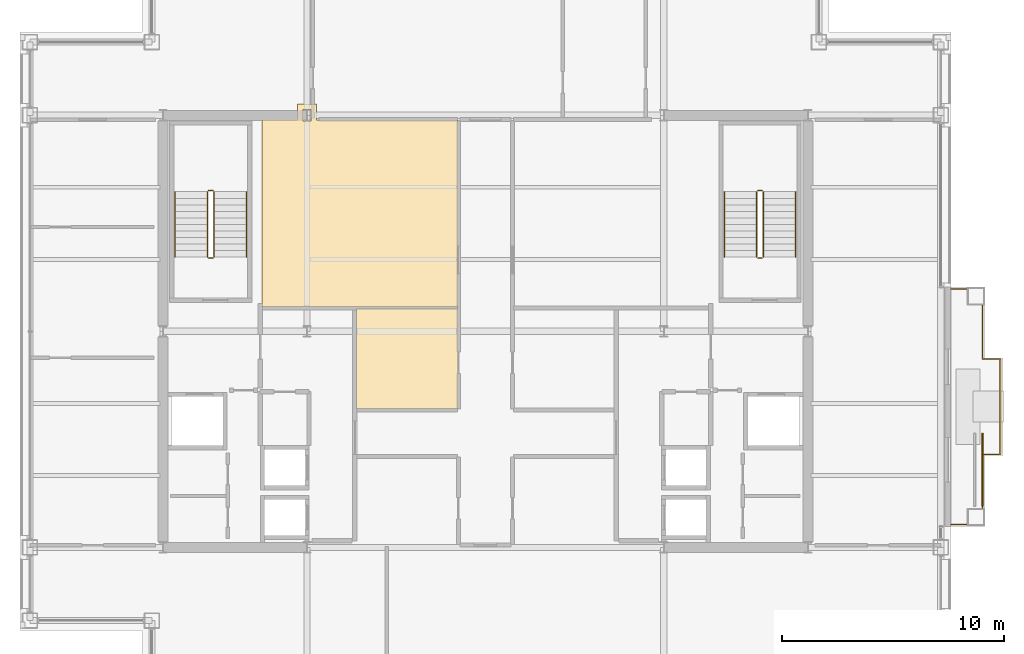
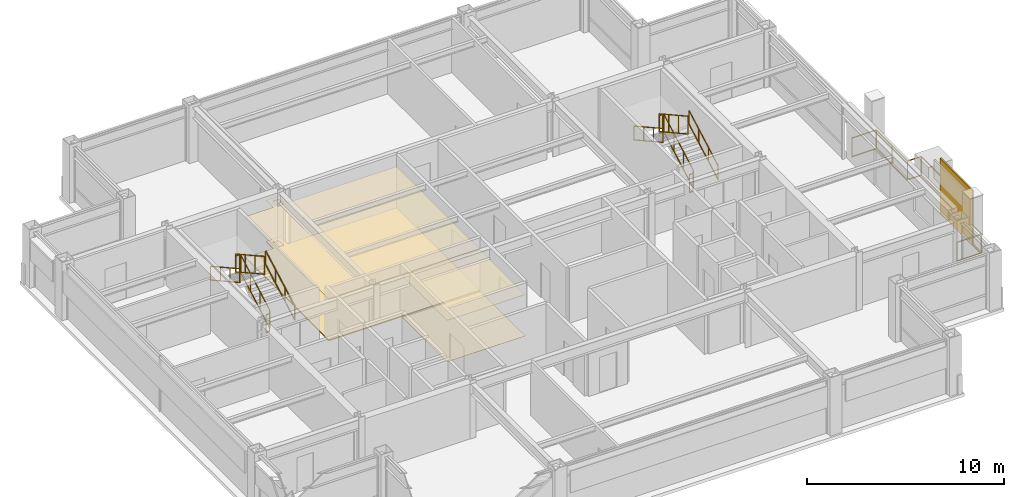
# One storey, part 27 of 28: 13 railings, 4 coverings, 1 shading device.
"""IFC4 building model written with IfcOpenShell, lengths in metres."""

import ifcopenshell
import ifcopenshell.guid

model = None  # the IFC model being written
_history = None  # IfcOwnerHistory: only IFC2X3 demands one
_inside = {}  # id of a spatial element -> (the spatial element, [elements in it])
_under = {}  # id of a project, library or spatial element -> (it, [spatial elements below it])
_declared = {}  # id of a project -> (the project, [libraries it declares])
_typed = {}  # id of a type object -> (the type object, [elements of that type])
_made_of = {}  # id of a material, layer set ... -> (it, [elements and type objects made of it])


def new_model(schema):
    """Start an empty IFC model of exactly this schema.

    Asked for "IFC4X3", IfcOpenShell would pick the latest addendum, in which some entities
    have other attributes; the version numbers below select the first issue.
    IFC2X3 requires an IfcOwnerHistory on every rooted entity: one is made here for all.
    """
    global model, _history
    if schema == "IFC4X3":
        model = ifcopenshell.file(schema_version=(4, 3, 0, 0))
    else:
        model = ifcopenshell.file(schema=schema)
    _inside.clear()
    _under.clear()
    _declared.clear()
    _typed.clear()
    _made_of.clear()
    _history = None
    if model.schema == "IFC2X3":
        org = make("IfcOrganization", Name="unknown")
        user = make(
            "IfcPersonAndOrganization",
            ThePerson=make("IfcPerson", FamilyName="unknown"),
            TheOrganization=org,
        )
        app = make(
            "IfcApplication",
            ApplicationDeveloper=org,
            Version="unknown",
            ApplicationFullName="unknown",
            ApplicationIdentifier="unknown",
        )
        _history = make(
            "IfcOwnerHistory",
            OwningUser=user,
            OwningApplication=app,
            ChangeAction="ADDED",
            CreationDate=0,
        )
    return model


def make(cls, **values):
    """One entity of the class cls with the attributes given. An attribute that is None is left unset."""
    return model.create_entity(
        cls, **{name: value for name, value in values.items() if value is not None}
    )


def rooted(cls, **values):
    """An entity with a GlobalId (a new one), such as an element, a storey or a relation."""
    return make(cls, GlobalId=ifcopenshell.guid.new(), OwnerHistory=_history, **values)


def si_unit(unit_type, name, prefix=None):
    """IfcSIUnit, for example si_unit("LENGTHUNIT", "METRE", prefix="MILLI")."""
    return make("IfcSIUnit", UnitType=unit_type, Prefix=prefix, Name=name)


def assignment(units):
    """IfcUnitAssignment: the units of a project."""
    return None if units is None else make("IfcUnitAssignment", Units=units)


def point(xyz):
    """IfcCartesianPoint."""
    return None if xyz is None else make("IfcCartesianPoint", Coordinates=xyz)


def direction(xyz):
    """IfcDirection."""
    return None if xyz is None else make("IfcDirection", DirectionRatios=xyz)


def frame(location, z_axis=None, x_axis=None):
    """IfcAxis2Placement3D, a coordinate frame: its origin and axes. An axis left out is left unset."""
    return make(
        "IfcAxis2Placement3D",
        Location=point(location),
        Axis=direction(z_axis),
        RefDirection=direction(x_axis),
    )


def frame_2d(location, x_axis=None):
    """IfcAxis2Placement2D, a coordinate frame in the plane: its origin and x axis."""
    return make(
        "IfcAxis2Placement2D", Location=point(location), RefDirection=direction(x_axis)
    )


def origin():
    """The frame at (0, 0, 0) with its axes left unset."""
    return frame((0.0, 0.0, 0.0))


def origin_2d():
    """The frame at (0, 0) in the plane with its x axis left unset."""
    return frame_2d((0.0, 0.0))


def place(relative_to, where):
    """IfcLocalPlacement: puts the frame where relative to a parent placement (None: the world)."""
    return make(
        "IfcLocalPlacement", PlacementRelTo=relative_to, RelativePlacement=where
    )


def context(
    kind, dimensions, precision=None, world=None, true_north=None, identifier=None
):
    """IfcGeometricRepresentationContext, for example the 3D "Model" context."""
    return make(
        "IfcGeometricRepresentationContext",
        ContextIdentifier=identifier,
        ContextType=kind,
        CoordinateSpaceDimension=dimensions,
        Precision=precision,
        WorldCoordinateSystem=world,
        TrueNorth=true_north,
    )


def subcontext(parent, identifier, kind, view, scale=None):
    """IfcGeometricRepresentationSubContext, for example "Body" below "Model"."""
    return make(
        "IfcGeometricRepresentationSubContext",
        ContextIdentifier=identifier,
        ContextType=kind,
        ParentContext=parent,
        TargetScale=scale,
        TargetView=view,
    )


def project(units=None, contexts=None):
    """IfcProject with its units and contexts."""
    return rooted(
        "IfcProject",
        Name="project",
        RepresentationContexts=contexts,
        UnitsInContext=assignment(units),
    )


def spatial(cls, under=None, at=None, **own):
    """A site, building, storey or space (cls), placed at a placement, below another one or the project."""
    s = rooted(cls, ObjectPlacement=at, **own)
    if under is not None:
        _under.setdefault(under.id(), (under, []))[1].append(s)
    return s


def polyline(points):
    """IfcPolyline through the points."""
    return make("IfcPolyline", Points=[point(p) for p in points])


def profile(cls, at=None, kind="AREA", **sizes):
    """A parametric profile (cls). Its sizes go by their IFC names, for example OverallWidth=200.0."""
    return make(cls, ProfileType=kind, Position=at, **sizes)


def rectangle(**sizes):
    """IfcRectangleProfileDef."""
    return profile("IfcRectangleProfileDef", **sizes)


def outline(outer, holes=None, kind="AREA"):
    """IfcArbitraryClosedProfileDef: a profile drawn as a closed curve; with holes, ...WithVoids."""
    if holes is None:
        return make("IfcArbitraryClosedProfileDef", ProfileType=kind, OuterCurve=outer)
    return make(
        "IfcArbitraryProfileDefWithVoids",
        ProfileType=kind,
        OuterCurve=outer,
        InnerCurves=holes,
    )


def extrude(swept, where, along, depth):
    """IfcExtrudedAreaSolid: the profile swept, set in the frame where, extruded along a direction by depth."""
    return make(
        "IfcExtrudedAreaSolid",
        SweptArea=swept,
        Position=where,
        ExtrudedDirection=direction(along),
        Depth=depth,
    )


def shape(context_of_items, identifier, shape_type, items):
    """IfcShapeRepresentation: the items that make up one representation, for example the "Body"."""
    return make(
        "IfcShapeRepresentation",
        ContextOfItems=context_of_items,
        RepresentationIdentifier=identifier,
        RepresentationType=shape_type,
        Items=items,
    )


def material(Name=None, Category=None):
    """IfcMaterial."""
    return make("IfcMaterial", Name=Name, Category=Category)


def layer(
    of_material, thickness, ventilated=None, Name=None, Category=None, Priority=None
):
    """IfcMaterialLayer: one layer of a wall or slab, of a material (None: an air gap)."""
    return make(
        "IfcMaterialLayer",
        Material=of_material,
        LayerThickness=thickness,
        IsVentilated=ventilated,
        Name=Name,
        Category=Category,
        Priority=Priority,
    )


def layer_set(layers, Name=None):
    """IfcMaterialLayerSet."""
    return make("IfcMaterialLayerSet", MaterialLayers=layers, LayerSetName=Name)


def made_of(thing, what):
    """Note that an element or type object is made of a material, layer set ...; save() writes the relation."""
    if what is not None:
        _made_of.setdefault(what.id(), (what, []))[1].append(thing)
    return thing


def type_object(cls, material=None, **own):
    """A type object (cls), such as IfcWallType, which elements share."""
    return made_of(rooted(cls, **own), material)


def element(
    cls,
    number,
    at=None,
    inside=None,
    cuts=None,
    type_object=None,
    material=None,
    context=None,
    identifier="Body",
    shape_type=None,
    held_by="IfcProductDefinitionShape",
    body=None,
    shapes=None,
    **own,
):
    """One element of the class cls, such as IfcWall. Its Tag is "e" and its number.

    at: its placement. inside: the storey or other place that contains it. cuts: it is an
    opening in that element (IfcRelVoidsElement). A single representation is given by context,
    identifier, shape_type and body (its items); several are given by shapes. held_by: the class
    of the entity that holds the representations. save() writes the other relations.
    """
    e = rooted(cls, Tag="e%d" % number, ObjectPlacement=at, **own)
    if body is not None:
        shapes = [shape(context, identifier, shape_type, body)]
    if shapes is not None:
        e.Representation = make(held_by, Representations=shapes)
    if inside is not None:
        _inside.setdefault(inside.id(), (inside, []))[1].append(e)
    if cuts is not None:
        rooted(
            "IfcRelVoidsElement", RelatingBuildingElement=cuts, RelatedOpeningElement=e
        )
    if type_object is not None:
        _typed.setdefault(type_object.id(), (type_object, []))[1].append(e)
    return made_of(e, material)


def aggregate(whole, parts):
    """IfcRelAggregates: a whole, such as a stair, and the parts it consists of."""
    return rooted("IfcRelAggregates", RelatingObject=whole, RelatedObjects=parts)


def save(model, path):
    """Write the relations noted so far, then the file.

    IfcRelAggregates (storeys below a building ...), IfcRelContainedInSpatialStructure (elements
    in a storey), IfcRelDefinesByType, IfcRelAssociatesMaterial and IfcRelDeclares: one each for
    every whole, place, type object, material and project.
    """
    for whole, parts in _under.values():
        aggregate(whole, parts)
    for where, things in _inside.values():
        rooted(
            "IfcRelContainedInSpatialStructure",
            RelatedElements=things,
            RelatingStructure=where,
        )
    for kind, things in _typed.values():
        rooted("IfcRelDefinesByType", RelatedObjects=things, RelatingType=kind)
    for what, things in _made_of.values():
        rooted("IfcRelAssociatesMaterial", RelatedObjects=things, RelatingMaterial=what)
    for by, libraries in _declared.values():
        rooted("IfcRelDeclares", RelatingContext=by, RelatedDefinitions=libraries)
    model.write(path)


model = new_model("IFC4")

# Units and contexts
model_context = context("Model", 3, precision=1e-05, world=origin(), true_north=direction((0.0, 1.0)))
body_context = subcontext(model_context, "Body", "Model", "MODEL_VIEW")
ifc_project = project(units=[si_unit("LENGTHUNIT", "METRE"), si_unit("AREAUNIT", "SQUARE_METRE"), si_unit("VOLUMEUNIT", "CUBIC_METRE"), si_unit("PLANEANGLEUNIT", "RADIAN"), si_unit("MASSUNIT", "GRAM", prefix="KILO")], contexts=[model_context])

# Site, building, storey
site_placement = place(None, origin())
site = spatial("IfcSite", under=ifc_project, at=site_placement, CompositionType="ELEMENT")
building_placement = place(site_placement, origin())
building = spatial("IfcBuilding", under=site, at=building_placement, Name="Brelmoor Portico Tower", CompositionType="ELEMENT")
storey_placement = place(building_placement, frame((0.0, 0.0, 191.10009765625)))
storey = spatial("IfcBuildingStorey", under=building, at=storey_placement, Name="L50", CompositionType="ELEMENT", Elevation=191.10009765625)

# Coverings
ifc_material_1 = material(Name="Perforated Mineral-Fibre Acoustic Ceiling Tile", Category="gypsum")
ifc_layer_1 = layer(ifc_material_1, 0.02490234375)
ifc_layer_set_1 = layer_set([ifc_layer_1], Name="Perforated Mineral-Fibre Acoustic Ceiling Tile")
covering_type_1 = type_object("IfcCoveringType", Name="CV-CEIL-GYPSUM-25", PredefinedType="CEILING", material=ifc_layer_set_1)
covering_1_placement = place(storey_placement, frame((0.0, 0.0, 2.5498046875)))
element("IfcCovering", 1, at=covering_1_placement, inside=storey, type_object=covering_type_1, Name="L50 Acoustic Suspended Ceiling 02", PredefinedType="CEILING", context=body_context, shape_type="SweptSolid", body=[
    extrude(outline(polyline([(-5.820068359375, -3.510009765625), (-5.820068359375, 1.0400390625), (-1.239990234375, 1.0400390625), (-1.239990234375, -3.510009765625), (-5.820068359375, -3.510009765625)])), origin(), (0.0, 0.0, 1.0), 0.025146484375),
])
ifc_material_2 = material(Name="Slatted FSC Oak Acoustic Feature Ceiling", Category="timber")
ifc_layer_2 = layer(ifc_material_2, 0.052001953125)
ifc_layer_set_2 = layer_set([ifc_layer_2], Name="Slatted FSC Oak Acoustic Feature Ceiling")
covering_type_2 = type_object("IfcCoveringType", Name="CV-CEIL-TIMBER-52", PredefinedType="CEILING", material=ifc_layer_set_2)
covering_2_placement = place(storey_placement, frame((0.0, 0.0, 2.5498046875)))
element("IfcCovering", 2, at=covering_2_placement, inside=storey, type_object=covering_type_2, Name="L50 Acoustic Suspended Ceiling 01", PredefinedType="CEILING", context=body_context, shape_type="SweptSolid", body=[
    extrude(outline(polyline([(-10.080078125, 9.530029296875), (-8.47509765625, 9.530029296875), (-8.47509765625, 10.25), (-7.625, 10.25), (-7.625, 9.530029296875), (-1.239990234375, 9.530029296875), (-1.239990234375, 1.090087890625), (-10.080078125, 1.090087890625), (-10.080078125, 9.530029296875)]), holes=[polyline([(-7.875, 9.5), (-7.875, 10.0), (-8.22509765625, 10.0), (-8.22509765625, 9.5), (-7.875, 9.5)])]), origin(), (0.0, 0.0, 1.0), 0.052001953125),
])
ifc_material_3 = material(Name="Calcium-Sulphate Raised Access Floor Panel", Category="steel")
ifc_layer_3 = layer(ifc_material_3, 0.06005859375)
ifc_layer_set_3 = layer_set([ifc_layer_3], Name="Calcium-Sulphate Raised Access Floor Panel")
covering_type_3 = type_object("IfcCoveringType", Name="CV-FLR-ACCESS-60", PredefinedType="FLOORING", material=ifc_layer_set_3)
covering_3_placement = place(storey_placement, origin())
element("IfcCovering", 3, at=covering_3_placement, inside=storey, type_object=covering_type_3, Name="L50 Architectural Floor Finish 01", PredefinedType="FLOORING", context=body_context, shape_type="SweptSolid", body=[
    extrude(outline(polyline([(-10.080078125, 9.530029296875), (-8.47509765625, 9.530029296875), (-8.47509765625, 10.25), (-7.625, 10.25), (-7.625, 9.530029296875), (-1.239990234375, 9.530029296875), (-1.239990234375, 1.090087890625), (-10.080078125, 1.090087890625), (-10.080078125, 9.530029296875)]), holes=[polyline([(-7.875, 9.5), (-7.875, 10.0), (-8.22509765625, 10.0), (-8.22509765625, 9.5), (-7.875, 9.5)])]), origin(), (0.0, 0.0, 1.0), 0.059814453125),
])
ifc_material_4 = material(Name="Solution-Dyed Nylon Acoustic Carpet Tile", Category="textile")
ifc_layer_4 = layer(ifc_material_4, 0.013916015625)
ifc_layer_set_4 = layer_set([ifc_layer_4], Name="Solution-Dyed Nylon Acoustic Carpet Tile")
covering_type_4 = type_object("IfcCoveringType", Name="CV-FLR-CARPET-14", PredefinedType="FLOORING", material=ifc_layer_set_4)
covering_4_placement = place(storey_placement, origin())
element("IfcCovering", 4, at=covering_4_placement, inside=storey, type_object=covering_type_4, Name="L50 Architectural Floor Finish 02", PredefinedType="FLOORING", context=body_context, shape_type="SweptSolid", body=[
    extrude(outline(polyline([(-5.820068359375, -3.510009765625), (-5.820068359375, 1.0400390625), (-1.239990234375, 1.0400390625), (-1.239990234375, -3.510009765625), (-5.820068359375, -3.510009765625)])), origin(), (0.0, 0.0, 1.0), 0.013916015625),
])

# Railings
ifc_material_5 = material(Name="Perforated Pale Champagne Aluminium Fretwork Guard", Category="aluminium")
railing_type_1 = type_object("IfcRailingType", Name="RL-BALUSTRADE-1200", PredefinedType="BALUSTRADE", material=ifc_material_5)
railing_1_placement = place(storey_placement, frame((21.0, -8.719970703125, 0.0)))
element("IfcRailing", 5, at=railing_1_placement, inside=storey, type_object=railing_type_1, Name="L50 Tree Balcony Fretwork Balustrade E", PredefinedType="BALUSTRADE", context=body_context, shape_type="SweptSolid", body=[
    extrude(rectangle(XDim=0.048095703125, YDim=0.048095703125, at=origin_2d()), frame((0.0, 0.0, 1.17578125), z_axis=(1.0, 0.0, 0.0), x_axis=(0.0, 1.0, 0.0)), (0.0, 0.0, 1.0), 1.429931640625),
    extrude(rectangle(XDim=0.048095703125, YDim=0.048095703125, at=origin_2d()), frame((0.0, 0.0, 0.02392578125), z_axis=(1.0, 0.0, 0.0), x_axis=(0.0, 1.0, 0.0)), (0.0, 0.0, 1.0), 1.429931640625),
    extrude(rectangle(XDim=0.048095703125, YDim=0.048095703125, at=origin_2d()), frame((1.429931640625, 0.0, 1.17578125), z_axis=(0.0, 1.0, 0.0), x_axis=(-1.0, 0.0, 0.0)), (0.0, 0.0, 1.0), 3.169921875),
    extrude(rectangle(XDim=0.048095703125, YDim=0.048095703125, at=origin_2d()), frame((1.429931640625, 0.0, 0.02392578125), z_axis=(0.0, 1.0, 0.0), x_axis=(-1.0, 0.0, 0.0)), (0.0, 0.0, 1.0), 3.169921875),
    extrude(rectangle(XDim=0.048095703125, YDim=0.048095703125, at=origin_2d()), frame((1.429931640625, 3.169921875, 1.17578125), z_axis=(1.0, 0.0, 0.0), x_axis=(0.0, 1.0, 0.0)), (0.0, 0.0, 1.0), 0.800048828125),
    extrude(rectangle(XDim=0.048095703125, YDim=0.048095703125, at=origin_2d()), frame((1.429931640625, 3.169921875, 0.02392578125), z_axis=(1.0, 0.0, 0.0), x_axis=(0.0, 1.0, 0.0)), (0.0, 0.0, 1.0), 0.800048828125),
    extrude(rectangle(XDim=0.048095703125, YDim=0.048095703125, at=origin_2d()), frame((2.22998046875, 3.169921875, 1.17578125), z_axis=(0.0, 1.0, 0.0), x_axis=(-1.0, 0.0, 0.0)), (0.0, 0.0, 1.0), 4.300048828125),
    extrude(rectangle(XDim=0.048095703125, YDim=0.048095703125, at=origin_2d()), frame((2.22998046875, 3.169921875, 0.02392578125), z_axis=(0.0, 1.0, 0.0), x_axis=(-1.0, 0.0, 0.0)), (0.0, 0.0, 1.0), 4.300048828125),
    extrude(rectangle(XDim=0.048095703125, YDim=0.048095703125, at=origin_2d()), frame((2.22998046875, 7.469970703125, 1.17578125), z_axis=(-1.0, 0.0, 0.0), x_axis=(0.0, -1.0, 0.0)), (0.0, 0.0, 1.0), 0.800048828125),
    extrude(rectangle(XDim=0.048095703125, YDim=0.048095703125, at=origin_2d()), frame((2.22998046875, 7.469970703125, 0.02392578125), z_axis=(-1.0, 0.0, 0.0), x_axis=(0.0, -1.0, 0.0)), (0.0, 0.0, 1.0), 0.800048828125),
    extrude(rectangle(XDim=0.048095703125, YDim=0.048095703125, at=origin_2d()), frame((1.429931640625, 7.469970703125, 1.17578125), z_axis=(0.0, 1.0, 0.0), x_axis=(-1.0, 0.0, 0.0)), (0.0, 0.0, 1.0), 3.169921875),
    extrude(rectangle(XDim=0.048095703125, YDim=0.048095703125, at=origin_2d()), frame((1.429931640625, 7.469970703125, 0.02392578125), z_axis=(0.0, 1.0, 0.0), x_axis=(-1.0, 0.0, 0.0)), (0.0, 0.0, 1.0), 3.169921875),
    extrude(rectangle(XDim=0.048095703125, YDim=0.048095703125, at=origin_2d()), frame((1.429931640625, 10.639892578125, 1.17578125), z_axis=(-1.0, 0.0, 0.0), x_axis=(0.0, -1.0, 0.0)), (0.0, 0.0, 1.0), 1.429931640625),
    extrude(rectangle(XDim=0.048095703125, YDim=0.048095703125, at=origin_2d()), frame((1.429931640625, 10.639892578125, 0.02392578125), z_axis=(-1.0, 0.0, 0.0), x_axis=(0.0, -1.0, 0.0)), (0.0, 0.0, 1.0), 1.429931640625),
    extrude(rectangle(XDim=0.0419921875, YDim=0.0419921875, at=origin_2d()), origin(), (0.0, 0.0, 1.0), 1.15185546875),
    extrude(rectangle(XDim=0.0419921875, YDim=0.0419921875, at=origin_2d()), frame((1.429931640625, 0.0, 0.0)), (0.0, 0.0, 1.0), 1.15185546875),
    extrude(rectangle(XDim=0.0419921875, YDim=0.0419921875, at=origin_2d()), frame((1.429931640625, 1.5849609375, 0.0)), (0.0, 0.0, 1.0), 1.15185546875),
    extrude(rectangle(XDim=0.0419921875, YDim=0.0419921875, at=origin_2d()), frame((1.429931640625, 3.169921875, 0.0)), (0.0, 0.0, 1.0), 1.15185546875),
    extrude(rectangle(XDim=0.0419921875, YDim=0.0419921875, at=origin_2d()), frame((2.22998046875, 3.169921875, 0.0)), (0.0, 0.0, 1.0), 1.15185546875),
    extrude(rectangle(XDim=0.0419921875, YDim=0.0419921875, at=origin_2d()), frame((2.22998046875, 5.31982421875, 0.0)), (0.0, 0.0, 1.0), 1.15185546875),
    extrude(rectangle(XDim=0.0419921875, YDim=0.0419921875, at=origin_2d()), frame((2.22998046875, 7.469970703125, 0.0)), (0.0, 0.0, 1.0), 1.15185546875),
    extrude(rectangle(XDim=0.0419921875, YDim=0.0419921875, at=origin_2d()), frame((1.429931640625, 7.469970703125, 0.0)), (0.0, 0.0, 1.0), 1.15185546875),
    extrude(rectangle(XDim=0.0419921875, YDim=0.0419921875, at=origin_2d()), frame((1.429931640625, 9.054931640625, 0.0)), (0.0, 0.0, 1.0), 1.15185546875),
    extrude(rectangle(XDim=0.0419921875, YDim=0.0419921875, at=origin_2d()), frame((1.429931640625, 10.639892578125, 0.0)), (0.0, 0.0, 1.0), 1.15185546875),
    extrude(rectangle(XDim=0.0419921875, YDim=0.0419921875, at=origin_2d()), frame((0.0, 10.639892578125, 0.0)), (0.0, 0.0, 1.0), 1.15185546875),
])
ifc_material_6 = material(Name="Painted Tubular Steel Q235B", Category="steel")
railing_type_2 = type_object("IfcRailingType", Name="RL-STAIR-GUARD", PredefinedType="GUARDRAIL", material=ifc_material_6)
railing_2_placement = place(storey_placement, frame((-12.239990234375, 3.35009765625, 0.16357421875)))
element("IfcRailing", 6, at=railing_2_placement, inside=storey, type_object=railing_type_2, Name="L50 ST-W stair guard 1", PredefinedType="GUARDRAIL", context=body_context, shape_type="SweptSolid", body=[
    extrude(rectangle(XDim=0.048095703125, YDim=0.048095703125, at=origin_2d()), frame((0.0, 0.0, 1.1259765625), z_axis=(0.0, 0.87448821551, 0.485046761595), x_axis=(-1.0, 0.0, 0.0)), (0.0, 0.0, 1.0), 3.373291015625),
    extrude(rectangle(XDim=0.048095703125, YDim=0.048095703125, at=origin_2d()), frame((0.0, 0.0, 0.02392578125), z_axis=(0.0, 0.87448821551, 0.485046761595), x_axis=(-1.0, 0.0, 0.0)), (0.0, 0.0, 1.0), 3.373291015625),
    extrude(rectangle(XDim=0.0419921875, YDim=0.0419921875, at=origin_2d()), origin(), (0.0, 0.0, 1.0), 1.101806640625),
    extrude(rectangle(XDim=0.0419921875, YDim=0.0419921875, at=origin_2d()), frame((0.0, 0.9833984375, 0.54541015625)), (0.0, 0.0, 1.0), 1.101806640625),
    extrude(rectangle(XDim=0.0419921875, YDim=0.0419921875, at=origin_2d()), frame((0.0, 1.966552734375, 1.0908203125)), (0.0, 0.0, 1.0), 1.101806640625),
    extrude(rectangle(XDim=0.0419921875, YDim=0.0419921875, at=origin_2d()), frame((0.0, 2.949951171875, 1.63623046875)), (0.0, 0.0, 1.0), 1.101806640625),
])
railing_3_placement = place(storey_placement, frame((-12.2900390625, 6.35009765625, 1.7998046875)))
element("IfcRailing", 7, at=railing_3_placement, inside=storey, type_object=railing_type_2, Name="L50 ST-W stair guard 2", PredefinedType="GUARDRAIL", context=body_context, shape_type="SweptSolid", body=[
    extrude(rectangle(XDim=0.048095703125, YDim=0.048095703125, at=origin_2d()), frame((0.0, 0.0, 1.1259765625), z_axis=(-1.0, 0.0, 0.0), x_axis=(0.0, -1.0, 0.0)), (0.0, 0.0, 1.0), 0.199951171875),
    extrude(rectangle(XDim=0.048095703125, YDim=0.048095703125, at=origin_2d()), frame((0.0, 0.0, 0.02392578125), z_axis=(-1.0, 0.0, 0.0), x_axis=(0.0, -1.0, 0.0)), (0.0, 0.0, 1.0), 0.199951171875),
    extrude(rectangle(XDim=0.0419921875, YDim=0.0419921875, at=origin_2d()), origin(), (0.0, 0.0, 1.0), 1.101806640625),
    extrude(rectangle(XDim=0.0419921875, YDim=0.0419921875, at=origin_2d()), frame((-0.199951171875, 0.0, 0.0)), (0.0, 0.0, 1.0), 1.101806640625),
])
railing_4_placement = place(storey_placement, frame((-12.5400390625, 6.300048828125, 1.963623046875)))
element("IfcRailing", 8, at=railing_4_placement, inside=storey, type_object=railing_type_2, Name="L50 ST-W stair guard 3", PredefinedType="GUARDRAIL", context=body_context, shape_type="SweptSolid", body=[
    extrude(rectangle(XDim=0.048095703125, YDim=0.048095703125, at=origin_2d()), frame((0.0, 0.0, 1.1259765625), z_axis=(0.0, -0.87448821551, 0.485046761595), x_axis=(1.0, 0.0, 0.0)), (0.0, 0.0, 1.0), 3.373291015625),
    extrude(rectangle(XDim=0.048095703125, YDim=0.048095703125, at=origin_2d()), frame((0.0, 0.0, 0.02392578125), z_axis=(0.0, -0.87448821551, 0.485046761595), x_axis=(1.0, 0.0, 0.0)), (0.0, 0.0, 1.0), 3.373291015625),
    extrude(rectangle(XDim=0.0419921875, YDim=0.0419921875, at=origin_2d()), origin(), (0.0, 0.0, 1.0), 1.101806640625),
    extrude(rectangle(XDim=0.0419921875, YDim=0.0419921875, at=origin_2d()), frame((0.0, -0.9833984375, 0.54541015625)), (0.0, 0.0, 1.0), 1.101806640625),
    extrude(rectangle(XDim=0.0419921875, YDim=0.0419921875, at=origin_2d()), frame((0.0, -1.966552734375, 1.0908203125)), (0.0, 0.0, 1.0), 1.101806640625),
    extrude(rectangle(XDim=0.0419921875, YDim=0.0419921875, at=origin_2d()), frame((0.0, -2.949951171875, 1.63623046875)), (0.0, 0.0, 1.0), 1.101806640625),
])
railing_5_placement = place(storey_placement, frame((-12.2900390625, 3.300048828125, 0.0)))
element("IfcRailing", 9, at=railing_5_placement, inside=storey, type_object=railing_type_2, Name="L50 ST-W stair guard 4", PredefinedType="GUARDRAIL", context=body_context, shape_type="SweptSolid", body=[
    extrude(rectangle(XDim=0.048095703125, YDim=0.048095703125, at=origin_2d()), frame((0.0, 0.0, 1.1259765625), z_axis=(-1.0, 0.0, 0.0), x_axis=(0.0, -1.0, 0.0)), (0.0, 0.0, 1.0), 0.199951171875),
    extrude(rectangle(XDim=0.048095703125, YDim=0.048095703125, at=origin_2d()), frame((0.0, 0.0, 0.02392578125), z_axis=(-1.0, 0.0, 0.0), x_axis=(0.0, -1.0, 0.0)), (0.0, 0.0, 1.0), 0.199951171875),
    extrude(rectangle(XDim=0.0419921875, YDim=0.0419921875, at=origin_2d()), origin(), (0.0, 0.0, 1.0), 1.101806640625),
    extrude(rectangle(XDim=0.0419921875, YDim=0.0419921875, at=origin_2d()), frame((-0.199951171875, 0.0, 0.0)), (0.0, 0.0, 1.0), 1.101806640625),
])
railing_6_placement = place(storey_placement, frame((12.5400390625, 3.35009765625, 0.16357421875)))
element("IfcRailing", 10, at=railing_6_placement, inside=storey, type_object=railing_type_2, Name="L50 ST-E stair guard 1", PredefinedType="GUARDRAIL", context=body_context, shape_type="SweptSolid", body=[
    extrude(rectangle(XDim=0.048095703125, YDim=0.048095703125, at=origin_2d()), frame((0.0, 0.0, 1.1259765625), z_axis=(0.0, 0.87448821551, 0.485046761595), x_axis=(-1.0, 0.0, 0.0)), (0.0, 0.0, 1.0), 3.373291015625),
    extrude(rectangle(XDim=0.048095703125, YDim=0.048095703125, at=origin_2d()), frame((0.0, 0.0, 0.02392578125), z_axis=(0.0, 0.87448821551, 0.485046761595), x_axis=(-1.0, 0.0, 0.0)), (0.0, 0.0, 1.0), 3.373291015625),
    extrude(rectangle(XDim=0.0419921875, YDim=0.0419921875, at=origin_2d()), origin(), (0.0, 0.0, 1.0), 1.101806640625),
    extrude(rectangle(XDim=0.0419921875, YDim=0.0419921875, at=origin_2d()), frame((0.0, 0.9833984375, 0.54541015625)), (0.0, 0.0, 1.0), 1.101806640625),
    extrude(rectangle(XDim=0.0419921875, YDim=0.0419921875, at=origin_2d()), frame((0.0, 1.966552734375, 1.0908203125)), (0.0, 0.0, 1.0), 1.101806640625),
    extrude(rectangle(XDim=0.0419921875, YDim=0.0419921875, at=origin_2d()), frame((0.0, 2.949951171875, 1.63623046875)), (0.0, 0.0, 1.0), 1.101806640625),
])
railing_7_placement = place(storey_placement, frame((12.489990234375, 6.35009765625, 1.7998046875)))
element("IfcRailing", 11, at=railing_7_placement, inside=storey, type_object=railing_type_2, Name="L50 ST-E stair guard 2", PredefinedType="GUARDRAIL", context=body_context, shape_type="SweptSolid", body=[
    extrude(rectangle(XDim=0.048095703125, YDim=0.048095703125, at=origin_2d()), frame((0.0, 0.0, 1.1259765625), z_axis=(-1.0, 0.0, 0.0), x_axis=(0.0, -1.0, 0.0)), (0.0, 0.0, 1.0), 0.199951171875),
    extrude(rectangle(XDim=0.048095703125, YDim=0.048095703125, at=origin_2d()), frame((0.0, 0.0, 0.02392578125), z_axis=(-1.0, 0.0, 0.0), x_axis=(0.0, -1.0, 0.0)), (0.0, 0.0, 1.0), 0.199951171875),
    extrude(rectangle(XDim=0.0419921875, YDim=0.0419921875, at=origin_2d()), origin(), (0.0, 0.0, 1.0), 1.101806640625),
    extrude(rectangle(XDim=0.0419921875, YDim=0.0419921875, at=origin_2d()), frame((-0.199951171875, 0.0, 0.0)), (0.0, 0.0, 1.0), 1.101806640625),
])
railing_8_placement = place(storey_placement, frame((12.239990234375, 6.300048828125, 1.963623046875)))
element("IfcRailing", 12, at=railing_8_placement, inside=storey, type_object=railing_type_2, Name="L50 ST-E stair guard 3", PredefinedType="GUARDRAIL", context=body_context, shape_type="SweptSolid", body=[
    extrude(rectangle(XDim=0.048095703125, YDim=0.048095703125, at=origin_2d()), frame((0.0, 0.0, 1.1259765625), z_axis=(0.0, -0.87448821551, 0.485046761595), x_axis=(1.0, 0.0, 0.0)), (0.0, 0.0, 1.0), 3.373291015625),
    extrude(rectangle(XDim=0.048095703125, YDim=0.048095703125, at=origin_2d()), frame((0.0, 0.0, 0.02392578125), z_axis=(0.0, -0.87448821551, 0.485046761595), x_axis=(1.0, 0.0, 0.0)), (0.0, 0.0, 1.0), 3.373291015625),
    extrude(rectangle(XDim=0.0419921875, YDim=0.0419921875, at=origin_2d()), origin(), (0.0, 0.0, 1.0), 1.101806640625),
    extrude(rectangle(XDim=0.0419921875, YDim=0.0419921875, at=origin_2d()), frame((0.0, -0.9833984375, 0.54541015625)), (0.0, 0.0, 1.0), 1.101806640625),
    extrude(rectangle(XDim=0.0419921875, YDim=0.0419921875, at=origin_2d()), frame((0.0, -1.966552734375, 1.0908203125)), (0.0, 0.0, 1.0), 1.101806640625),
    extrude(rectangle(XDim=0.0419921875, YDim=0.0419921875, at=origin_2d()), frame((0.0, -2.949951171875, 1.63623046875)), (0.0, 0.0, 1.0), 1.101806640625),
])
railing_9_placement = place(storey_placement, frame((12.489990234375, 3.300048828125, 0.0)))
element("IfcRailing", 13, at=railing_9_placement, inside=storey, type_object=railing_type_2, Name="L50 ST-E stair guard 4", PredefinedType="GUARDRAIL", context=body_context, shape_type="SweptSolid", body=[
    extrude(rectangle(XDim=0.048095703125, YDim=0.048095703125, at=origin_2d()), frame((0.0, 0.0, 1.1259765625), z_axis=(-1.0, 0.0, 0.0), x_axis=(0.0, -1.0, 0.0)), (0.0, 0.0, 1.0), 0.199951171875),
    extrude(rectangle(XDim=0.048095703125, YDim=0.048095703125, at=origin_2d()), frame((0.0, 0.0, 0.02392578125), z_axis=(-1.0, 0.0, 0.0), x_axis=(0.0, -1.0, 0.0)), (0.0, 0.0, 1.0), 0.199951171875),
    extrude(rectangle(XDim=0.0419921875, YDim=0.0419921875, at=origin_2d()), origin(), (0.0, 0.0, 1.0), 1.101806640625),
    extrude(rectangle(XDim=0.0419921875, YDim=0.0419921875, at=origin_2d()), frame((-0.199951171875, 0.0, 0.0)), (0.0, 0.0, 1.0), 1.101806640625),
])
ifc_material_7 = material(Name="Brushed Stainless Steel 304", Category="steel")
railing_type_3 = type_object("IfcRailingType", Name="RL-STAIR-HANDRAIL", PredefinedType="HANDRAIL", material=ifc_material_7)
railing_10_placement = place(storey_placement, frame((-10.780029296875, 3.35009765625, 0.16357421875)))
element("IfcRailing", 14, at=railing_10_placement, inside=storey, type_object=railing_type_3, Name="L50 ST-W stair handrail 1", PredefinedType="HANDRAIL", context=body_context, shape_type="SweptSolid", body=[
    extrude(rectangle(XDim=0.048095703125, YDim=0.048095703125, at=origin_2d()), frame((0.0, 0.0, 0.8759765625), z_axis=(0.0, 0.87448821551, 0.485046761595), x_axis=(-1.0, 0.0, 0.0)), (0.0, 0.0, 1.0), 3.373291015625),
    extrude(rectangle(XDim=0.048095703125, YDim=0.048095703125, at=origin_2d()), frame((0.0, 0.0, 0.02392578125), z_axis=(0.0, 0.87448821551, 0.485046761595), x_axis=(-1.0, 0.0, 0.0)), (0.0, 0.0, 1.0), 3.373291015625),
    extrude(rectangle(XDim=0.0419921875, YDim=0.0419921875, at=origin_2d()), origin(), (0.0, 0.0, 1.0), 0.851806640625),
    extrude(rectangle(XDim=0.0419921875, YDim=0.0419921875, at=origin_2d()), frame((0.0, 0.9833984375, 0.54541015625)), (0.0, 0.0, 1.0), 0.851806640625),
    extrude(rectangle(XDim=0.0419921875, YDim=0.0419921875, at=origin_2d()), frame((0.0, 1.966552734375, 1.0908203125)), (0.0, 0.0, 1.0), 0.851806640625),
    extrude(rectangle(XDim=0.0419921875, YDim=0.0419921875, at=origin_2d()), frame((0.0, 2.949951171875, 1.63623046875)), (0.0, 0.0, 1.0), 0.851806640625),
])
railing_11_placement = place(storey_placement, frame((-14.0, 6.300048828125, 1.963623046875)))
element("IfcRailing", 15, at=railing_11_placement, inside=storey, type_object=railing_type_3, Name="L50 ST-W stair handrail 2", PredefinedType="HANDRAIL", context=body_context, shape_type="SweptSolid", body=[
    extrude(rectangle(XDim=0.048095703125, YDim=0.048095703125, at=origin_2d()), frame((0.0, 0.0, 0.8759765625), z_axis=(0.0, -0.87448821551, 0.485046761595), x_axis=(1.0, 0.0, 0.0)), (0.0, 0.0, 1.0), 3.373291015625),
    extrude(rectangle(XDim=0.048095703125, YDim=0.048095703125, at=origin_2d()), frame((0.0, 0.0, 0.02392578125), z_axis=(0.0, -0.87448821551, 0.485046761595), x_axis=(1.0, 0.0, 0.0)), (0.0, 0.0, 1.0), 3.373291015625),
    extrude(rectangle(XDim=0.0419921875, YDim=0.0419921875, at=origin_2d()), origin(), (0.0, 0.0, 1.0), 0.851806640625),
    extrude(rectangle(XDim=0.0419921875, YDim=0.0419921875, at=origin_2d()), frame((0.0, -0.9833984375, 0.54541015625)), (0.0, 0.0, 1.0), 0.851806640625),
    extrude(rectangle(XDim=0.0419921875, YDim=0.0419921875, at=origin_2d()), frame((0.0, -1.966552734375, 1.0908203125)), (0.0, 0.0, 1.0), 0.851806640625),
    extrude(rectangle(XDim=0.0419921875, YDim=0.0419921875, at=origin_2d()), frame((0.0, -2.949951171875, 1.63623046875)), (0.0, 0.0, 1.0), 0.851806640625),
])
railing_12_placement = place(storey_placement, frame((14.0, 3.35009765625, 0.16357421875)))
element("IfcRailing", 16, at=railing_12_placement, inside=storey, type_object=railing_type_3, Name="L50 ST-E stair handrail 1", PredefinedType="HANDRAIL", context=body_context, shape_type="SweptSolid", body=[
    extrude(rectangle(XDim=0.048095703125, YDim=0.048095703125, at=origin_2d()), frame((0.0, 0.0, 0.8759765625), z_axis=(0.0, 0.87448821551, 0.485046761595), x_axis=(-1.0, 0.0, 0.0)), (0.0, 0.0, 1.0), 3.373291015625),
    extrude(rectangle(XDim=0.048095703125, YDim=0.048095703125, at=origin_2d()), frame((0.0, 0.0, 0.02392578125), z_axis=(0.0, 0.87448821551, 0.485046761595), x_axis=(-1.0, 0.0, 0.0)), (0.0, 0.0, 1.0), 3.373291015625),
    extrude(rectangle(XDim=0.0419921875, YDim=0.0419921875, at=origin_2d()), origin(), (0.0, 0.0, 1.0), 0.851806640625),
    extrude(rectangle(XDim=0.0419921875, YDim=0.0419921875, at=origin_2d()), frame((0.0, 0.9833984375, 0.54541015625)), (0.0, 0.0, 1.0), 0.851806640625),
    extrude(rectangle(XDim=0.0419921875, YDim=0.0419921875, at=origin_2d()), frame((0.0, 1.966552734375, 1.0908203125)), (0.0, 0.0, 1.0), 0.851806640625),
    extrude(rectangle(XDim=0.0419921875, YDim=0.0419921875, at=origin_2d()), frame((0.0, 2.949951171875, 1.63623046875)), (0.0, 0.0, 1.0), 0.851806640625),
])
railing_13_placement = place(storey_placement, frame((10.780029296875, 6.300048828125, 1.963623046875)))
element("IfcRailing", 17, at=railing_13_placement, inside=storey, type_object=railing_type_3, Name="L50 ST-E stair handrail 2", PredefinedType="HANDRAIL", context=body_context, shape_type="SweptSolid", body=[
    extrude(rectangle(XDim=0.048095703125, YDim=0.048095703125, at=origin_2d()), frame((0.0, 0.0, 0.8759765625), z_axis=(0.0, -0.87448821551, 0.485046761595), x_axis=(1.0, 0.0, 0.0)), (0.0, 0.0, 1.0), 3.373291015625),
    extrude(rectangle(XDim=0.048095703125, YDim=0.048095703125, at=origin_2d()), frame((0.0, 0.0, 0.02392578125), z_axis=(0.0, -0.87448821551, 0.485046761595), x_axis=(1.0, 0.0, 0.0)), (0.0, 0.0, 1.0), 3.373291015625),
    extrude(rectangle(XDim=0.0419921875, YDim=0.0419921875, at=origin_2d()), origin(), (0.0, 0.0, 1.0), 0.851806640625),
    extrude(rectangle(XDim=0.0419921875, YDim=0.0419921875, at=origin_2d()), frame((0.0, -0.9833984375, 0.54541015625)), (0.0, 0.0, 1.0), 0.851806640625),
    extrude(rectangle(XDim=0.0419921875, YDim=0.0419921875, at=origin_2d()), frame((0.0, -1.966552734375, 1.0908203125)), (0.0, 0.0, 1.0), 0.851806640625),
    extrude(rectangle(XDim=0.0419921875, YDim=0.0419921875, at=origin_2d()), frame((0.0, -2.949951171875, 1.63623046875)), (0.0, 0.0, 1.0), 0.851806640625),
])

# Shading device
ifc_material_8 = material(Name="Powder-Coated Aluminium Shuttered Jalousie", Category="aluminium")
ifc_layer_5 = layer(ifc_material_8, 0.080078125)
ifc_layer_set_5 = layer_set([ifc_layer_5], Name="Powder-Coated Aluminium Shuttered Jalousie")
shading_device_type = type_object("IfcShadingDeviceType", Name="SD-JALOUSIE-LOGGIA", PredefinedType="JALOUSIE", material=ifc_layer_set_5)
shading_device_placement = place(storey_placement, frame((22.429931640625, -6.25, 0.0), z_axis=(0.0, 0.0, 1.0), x_axis=(0.0, 1.0, 0.0)))
element("IfcShadingDevice", 18, at=shading_device_placement, inside=storey, type_object=shading_device_type, Name="L50 Loggia Shuttered Jalousie E", PredefinedType="JALOUSIE", context=body_context, shape_type="SweptSolid", body=[
    extrude(rectangle(XDim=3.300048828125, YDim=0.080078125, at=origin_2d()), origin(), (0.0, 0.0, 1.0), 3.39990234375),
])

save(model, "model.ifc")
